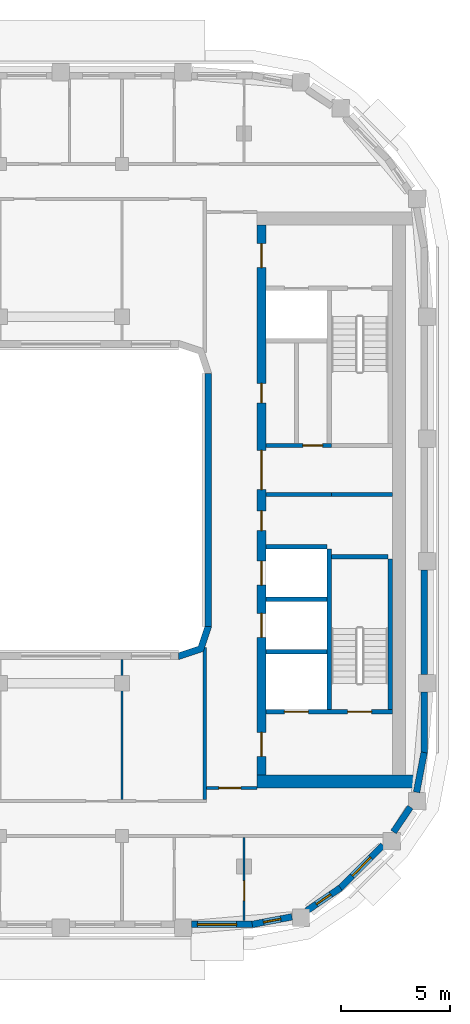
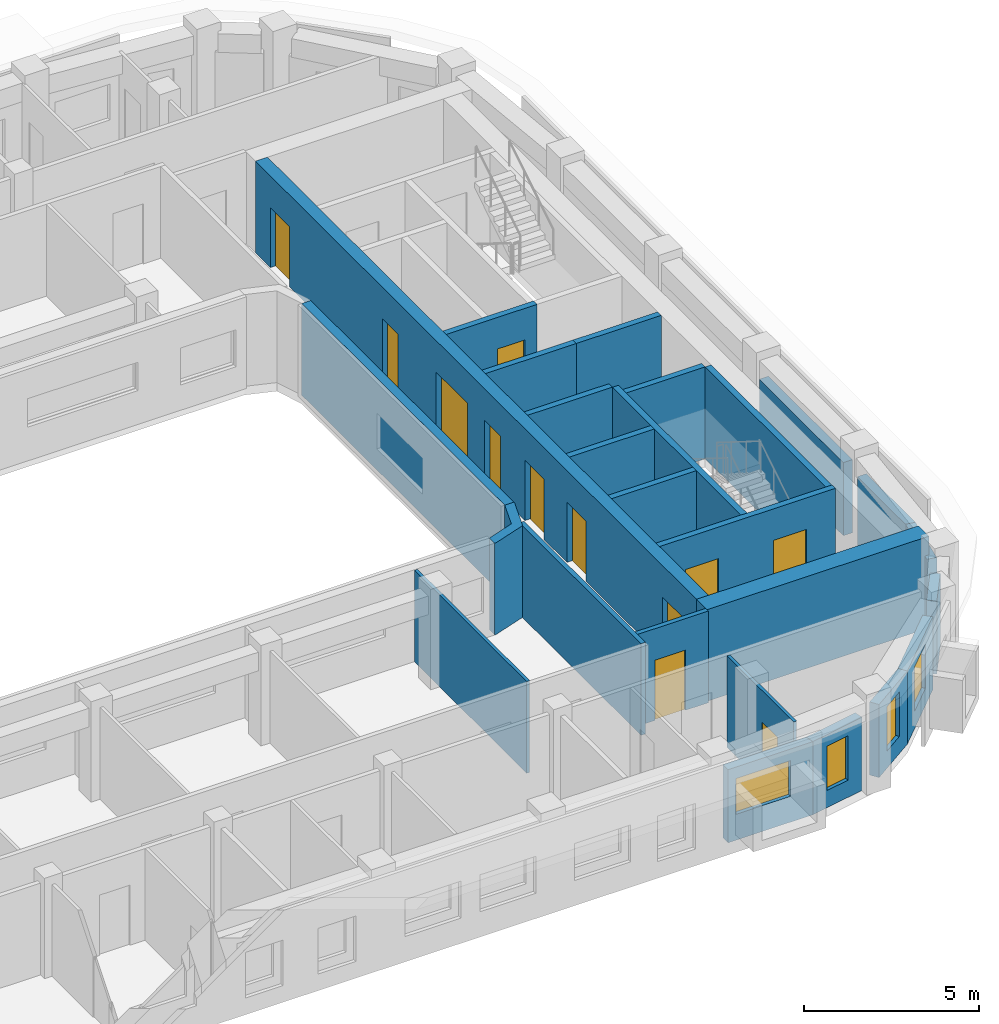
# One storey, part 5 of 15: 26 walls, 12 doors, 4 windows, 16 openings.
"""IFC4 building model written with IfcOpenShell, lengths in metres."""

from ifc_helpers import new_model, si_unit, direction, frame, frame_2d, origin, place, context, subcontext, project, spatial, polyline, rectangle, outline, extrude, material, layer, layer_set, type_object, element, fill, save


model = new_model("IFC4")

# Units and contexts
model_context = context("Model", 3, precision=1e-05, world=origin(), true_north=direction((0.0, 1.0)))
body_context = subcontext(model_context, "Body", "Model", "MODEL_VIEW")
ifc_project = project(units=[si_unit("LENGTHUNIT", "METRE"), si_unit("AREAUNIT", "SQUARE_METRE"), si_unit("VOLUMEUNIT", "CUBIC_METRE"), si_unit("PLANEANGLEUNIT", "RADIAN"), si_unit("MASSUNIT", "GRAM", prefix="KILO")], contexts=[model_context])

# Site, building, storey
site_placement = place(None, origin())
site = spatial("IfcSite", under=ifc_project, at=site_placement, CompositionType="ELEMENT")
building_placement = place(site_placement, origin())
building = spatial("IfcBuilding", under=site, at=building_placement, Name="Kiln Ring Residences", CompositionType="ELEMENT")
storey_placement = place(building_placement, frame((0.0, 0.0, 248.699951171875)))
storey = spatial("IfcBuildingStorey", under=building, at=storey_placement, Name="L64", CompositionType="ELEMENT", Elevation=248.699951171875)

# Walls
ifc_material_1 = material(Name="Gypsum board on steel studs", Category="steel")
ifc_layer_1 = layer(ifc_material_1, 0.199951171875)
ifc_layer_set_1 = layer_set([ifc_layer_1], Name="CORE-PARTITION-200")
wall_type_1 = type_object("IfcWallType", Name="CORE-PARTITION-200", PredefinedType="PARTITIONING", material=ifc_layer_set_1)
wall_1_placement = place(storey_placement, frame((20.800048828125, 0.25, 0.0), z_axis=(0.0, 0.0, 1.0), x_axis=(1.0, 0.0, 0.0)))
element("IfcWall", 1, at=wall_1_placement, inside=storey, type_object=wall_type_1, Name="Core partition east L64 1", PredefinedType="PARTITIONING", context=body_context, shape_type="SweptSolid", body=[
    extrude(rectangle(XDim=2.800048828125, YDim=0.199951171875, at=frame_2d((1.39990234375, 0.0))), origin(), (0.0, 0.0, 1.0), 3.199951171875),
])
ifc_material_2 = material(Name="Gypsum shaft wall system")
ifc_layer_2 = layer(ifc_material_2, 0.199951171875)
ifc_layer_set_2 = layer_set([ifc_layer_2], Name="CORE-SHAFT-WALL-200")
wall_type_2 = type_object("IfcWallType", Name="CORE-SHAFT-WALL-200", PredefinedType="PARTITIONING", material=ifc_layer_set_2)
for number, where, z_axis, x_axis, name in (
    (2, (17.800048828125, -6.949951171875, 0.0), (0.0, 0.0, 1.0), (1.0, 0.0, 0.0), "Core partition east L64 3"),
    (3, (17.800048828125, -4.550048828125, 0.0), (0.0, 0.0, 1.0), (1.0, 0.0, 0.0), "Core partition east L64 4"),
    (4, (17.800048828125, -2.14990234375, 0.0), (0.0, 0.0, 1.0), (1.0, 0.0, 0.0), "Core partition east L64 5"),
):
    element("IfcWall", number, at=place(storey_placement, frame(where, z_axis=z_axis, x_axis=x_axis)), inside=storey, type_object=wall_type_2, Name=name, PredefinedType="PARTITIONING", context=body_context, shape_type="SweptSolid", body=[
        extrude(rectangle(XDim=2.800048828125, YDim=0.199951171875, at=frame_2d((1.39990234375, 0.0))), origin(), (0.0, 0.0, 1.0), 3.199951171875),
    ])
wall_2_placement = place(storey_placement, frame((17.800048828125, 0.25, 0.0), z_axis=(0.0, 0.0, 1.0), x_axis=(1.0, 0.0, 0.0)))
element("IfcWall", 5, at=wall_2_placement, inside=storey, type_object=wall_type_2, Name="Core partition east L64 6", PredefinedType="PARTITIONING", context=body_context, shape_type="SweptSolid", body=[
    extrude(rectangle(XDim=3.0, YDim=0.199951171875, at=frame_2d((1.5, 0.0))), origin(), (0.0, 0.0, 1.0), 3.199951171875),
])

# Wall, opening, door
wall_3_placement = place(storey_placement, frame((17.800048828125, 2.5, 0.0), z_axis=(0.0, 0.0, 1.0), x_axis=(1.0, 0.0, 0.0)))
wall_3 = element("IfcWall", 6, at=wall_3_placement, inside=storey, type_object=wall_type_2, Name="Core partition east L64 7", PredefinedType="PARTITIONING", context=body_context, shape_type="SweptSolid", body=[
    extrude(rectangle(XDim=3.0, YDim=0.199951171875, at=frame_2d((1.5, 0.0))), origin(), (0.0, 0.0, 1.0), 3.199951171875),
])
opening_1_placement = place(wall_3_placement, frame((1.699951171875, 0.0, 0.0)))
opening_1 = element("IfcOpeningElement", 7, at=opening_1_placement, cuts=wall_3, Name="Opening L64-CE06", PredefinedType="OPENING", context=body_context, shape_type="SweptSolid", body=[
    extrude(rectangle(XDim=0.89990234375, YDim=2.10009765625, at=frame_2d((0.449951171875, 1.050048828125))), frame((0.0, 0.10986328125, 0.0), z_axis=(0.0, -1.0, 0.0), x_axis=(1.0, 0.0, 0.0)), (0.0, 0.0, 1.0), 0.219970703125),
])
ifc_material_3 = material(Name="Steel door leaf", Category="steel")
door_type_1 = type_object("IfcDoorType", Name="CORE-DOOR-ROOM", OperationType="SINGLE_SWING_LEFT", PredefinedType="DOOR", material=ifc_material_3)
door_1_placement = place(opening_1_placement, origin())
door_1 = element("IfcDoor", 8, at=door_1_placement, inside=storey, type_object=door_type_1, Name="Cleaner's store L64-CE06", OperationType="SINGLE_SWING_RIGHT", OverallHeight=2.10009765625, OverallWidth=0.89990234375, PredefinedType="DOOR", context=body_context, shape_type="SweptSolid", body=[
    extrude(rectangle(XDim=0.89990234375, YDim=2.10009765625, at=frame_2d((0.449951171875, 1.050048828125))), frame((0.0, 0.02490234375, 0.0), z_axis=(0.0, -1.0, 0.0), x_axis=(1.0, 0.0, 0.0)), (0.0, 0.0, 1.0), 0.050048828125),
])
fill(opening_1, door_1)

# Wall
ifc_material_4 = material(Name="Concrete C40/50", Category="concrete")
ifc_layer_3 = layer(ifc_material_4, 0.199951171875)
ifc_layer_set_3 = layer_set([ifc_layer_3], Name="CORE-WALL-RC200")
wall_type_3 = type_object("IfcWallType", Name="CORE-WALL-RC200", PredefinedType="SHEAR", material=ifc_layer_set_3)
wall_4_placement = place(storey_placement, frame((20.699951171875, -9.60009765625, 0.0), z_axis=(0.0, 0.0, 1.0), x_axis=(0.0, 1.0, 0.0)))
element("IfcWall", 9, at=wall_4_placement, inside=storey, type_object=wall_type_3, Name="Core wall east L64 2", PredefinedType="SHEAR", context=body_context, shape_type="SweptSolid", body=[
    extrude(rectangle(XDim=7.35009765625, YDim=0.199951171875, at=frame_2d((3.675048828125, 0.0))), origin(), (0.0, 0.0, 1.0), 3.199951171875),
])

# Wall, openings, doors
wall_5_placement = place(storey_placement, frame((17.800048828125, -9.699951171875, 0.0), z_axis=(0.0, 0.0, 1.0), x_axis=(1.0, 0.0, 0.0)))
wall_5 = element("IfcWall", 10, at=wall_5_placement, inside=storey, type_object=wall_type_3, Name="Core wall east L64 8", PredefinedType="SHEAR", context=body_context, shape_type="SweptSolid", body=[
    extrude(rectangle(XDim=5.800048828125, YDim=0.199951171875, at=frame_2d((2.89990234375, 0.0))), origin(), (0.0, 0.0, 1.0), 3.199951171875),
])
opening_2_placement = place(wall_5_placement, frame((0.85009765625, 0.0, 0.0)))
opening_2 = element("IfcOpeningElement", 11, at=opening_2_placement, cuts=wall_5, Name="Opening L64-CE01", PredefinedType="OPENING", context=body_context, shape_type="SweptSolid", body=[
    extrude(rectangle(XDim=1.10009765625, YDim=2.10009765625, at=frame_2d((0.550048828125, 1.050048828125))), frame((0.0, 0.10986328125, 0.0), z_axis=(0.0, -1.0, 0.0), x_axis=(1.0, 0.0, 0.0)), (0.0, 0.0, 1.0), 0.219970703125),
])
opening_3_placement = place(wall_5_placement, frame((3.75, 0.0, 0.0)))
opening_3 = element("IfcOpeningElement", 12, at=opening_3_placement, cuts=wall_5, Name="Opening L64-CE11", PredefinedType="OPENING", context=body_context, shape_type="SweptSolid", body=[
    extrude(rectangle(XDim=1.10009765625, YDim=2.10009765625, at=frame_2d((0.550048828125, 1.050048828125))), frame((0.0, 0.10986328125, 0.0), z_axis=(0.0, -1.0, 0.0), x_axis=(1.0, 0.0, 0.0)), (0.0, 0.0, 1.0), 0.219970703125),
])
ifc_material_5 = material(Name="Steel door leaf", Category="steel")
door_type_2 = type_object("IfcDoorType", Name="CORE-DOOR-LD", OperationType="DOUBLE_DOOR_SLIDING", PredefinedType="DOOR", material=ifc_material_5)
door_2_placement = place(opening_2_placement, origin())
door_2 = element("IfcDoor", 13, at=door_2_placement, inside=storey, type_object=door_type_2, Name="LD E-SV L64-CE01", OperationType="DOUBLE_DOOR_SLIDING", OverallHeight=2.10009765625, OverallWidth=1.10009765625, PredefinedType="DOOR", context=body_context, shape_type="SweptSolid", body=[
    extrude(rectangle(XDim=1.10009765625, YDim=2.10009765625, at=frame_2d((0.550048828125, 1.050048828125))), frame((0.0, 0.02490234375, 0.0), z_axis=(0.0, -1.0, 0.0), x_axis=(1.0, 0.0, 0.0)), (0.0, 0.0, 1.0), 0.050048828125),
])
fill(opening_2, door_2)
ifc_material_6 = material(Name="Steel door leaf", Category="steel")
door_type_3 = type_object("IfcDoorType", Name="CORE-DOOR-STAIR", OperationType="SINGLE_SWING_LEFT", PredefinedType="DOOR", material=ifc_material_6)
door_3_placement = place(opening_3_placement, origin())
door_3 = element("IfcDoor", 14, at=door_3_placement, inside=storey, type_object=door_type_3, Name="Stair E-STS L64-CE11", OperationType="SINGLE_SWING_LEFT", OverallHeight=2.10009765625, OverallWidth=1.10009765625, PredefinedType="DOOR", context=body_context, shape_type="SweptSolid", body=[
    extrude(rectangle(XDim=1.10009765625, YDim=2.10009765625, at=frame_2d((0.550048828125, 1.050048828125))), frame((0.0, 0.02490234375, 0.0), z_axis=(0.0, -1.0, 0.0), x_axis=(1.0, 0.0, 0.0)), (0.0, 0.0, 1.0), 0.050048828125),
])
fill(opening_3, door_3)

# Walls
wall_6_placement = place(storey_placement, frame((23.5, -9.60009765625, 0.0), z_axis=(0.0, 0.0, 1.0), x_axis=(0.0, 1.0, 0.0)))
element("IfcWall", 15, at=wall_6_placement, inside=storey, type_object=wall_type_3, Name="Core wall east L64 11", PredefinedType="SHEAR", context=body_context, shape_type="SweptSolid", body=[
    extrude(rectangle(XDim=6.900146484375, YDim=0.199951171875, at=frame_2d((3.4501953125, 0.0))), origin(), (0.0, 0.0, 1.0), 3.199951171875),
])
wall_7_placement = place(storey_placement, frame((20.800048828125, -2.60009765625, 0.0), z_axis=(0.0, 0.0, 1.0), x_axis=(1.0, 0.0, 0.0)))
element("IfcWall", 16, at=wall_7_placement, inside=storey, type_object=wall_type_3, Name="Core wall east L64 12", PredefinedType="SHEAR", context=body_context, shape_type="SweptSolid", body=[
    extrude(rectangle(XDim=2.599853515625, YDim=0.199951171875, at=frame_2d((1.2998046875, 0.0))), origin(), (0.0, 0.0, 1.0), 3.199951171875),
])

# Wall, openings, doors
ifc_material_7 = material(Name="Concrete C60/75", Category="concrete")
ifc_layer_4 = layer(ifc_material_7, 0.39990234375)
ifc_layer_set_4 = layer_set([ifc_layer_4], Name="CORE-WALL-RC400")
wall_type_4 = type_object("IfcWallType", Name="CORE-WALL-RC400", PredefinedType="SHEAR", material=ifc_layer_set_4)
wall_8_placement = place(storey_placement, frame((17.60009765625, -12.60009765625, 0.0), z_axis=(0.0, 0.0, 1.0), x_axis=(0.0, 1.0, 0.0)))
wall_8 = element("IfcWall", 17, at=wall_8_placement, inside=storey, type_object=wall_type_4, Name="Core wall east L64 6", PredefinedType="SHEAR", context=body_context, shape_type="SweptSolid", body=[
    extrude(rectangle(XDim=25.2001953125, YDim=0.39990234375, at=frame_2d((12.60009765625, 0.0))), origin(), (0.0, 0.0, 1.0), 3.199951171875),
])
opening_4_placement = place(wall_8_placement, frame((6.300048828125, 0.0, 0.0)))
opening_4 = element("IfcOpeningElement", 18, at=opening_4_placement, cuts=wall_8, Name="Opening L64-CE02", PredefinedType="OPENING", context=body_context, shape_type="SweptSolid", body=[
    extrude(rectangle(XDim=1.10009765625, YDim=2.10009765625, at=frame_2d((0.550048828125, 1.050048828125))), frame((0.0, 0.2099609375, 0.0), z_axis=(0.0, -1.0, 0.0), x_axis=(1.0, 0.0, 0.0)), (0.0, 0.0, 1.0), 0.419921875),
])
opening_5_placement = place(wall_8_placement, frame((8.699951171875, 0.0, 0.0)))
opening_5 = element("IfcOpeningElement", 19, at=opening_5_placement, cuts=wall_8, Name="Opening L64-CE03", PredefinedType="OPENING", context=body_context, shape_type="SweptSolid", body=[
    extrude(rectangle(XDim=1.10009765625, YDim=2.10009765625, at=frame_2d((0.550048828125, 1.050048828125))), frame((0.0, 0.2099609375, 0.0), z_axis=(0.0, -1.0, 0.0), x_axis=(1.0, 0.0, 0.0)), (0.0, 0.0, 1.0), 0.419921875),
])
opening_6_placement = place(wall_8_placement, frame((11.199951171875, 0.0, 0.0)))
opening_6 = element("IfcOpeningElement", 20, at=opening_6_placement, cuts=wall_8, Name="Opening L64-CE04", PredefinedType="OPENING", context=body_context, shape_type="SweptSolid", body=[
    extrude(rectangle(XDim=0.89990234375, YDim=2.10009765625, at=frame_2d((0.449951171875, 1.050048828125))), frame((0.0, 0.2099609375, 0.0), z_axis=(0.0, -1.0, 0.0), x_axis=(1.0, 0.0, 0.0)), (0.0, 0.0, 1.0), 0.419921875),
])
opening_7_placement = place(wall_8_placement, frame((17.050048828125, 0.0, 0.0)))
opening_7 = element("IfcOpeningElement", 21, at=opening_7_placement, cuts=wall_8, Name="Opening L64-CE05", PredefinedType="OPENING", context=body_context, shape_type="SweptSolid", body=[
    extrude(rectangle(XDim=0.89990234375, YDim=2.10009765625, at=frame_2d((0.449951171875, 1.050048828125))), frame((0.0, 0.2099609375, 0.0), z_axis=(0.0, -1.0, 0.0), x_axis=(1.0, 0.0, 0.0)), (0.0, 0.0, 1.0), 0.419921875),
])
opening_8_placement = place(wall_8_placement, frame((23.25, 0.0, 0.0)))
opening_8 = element("IfcOpeningElement", 22, at=opening_8_placement, cuts=wall_8, Name="Opening L64-CE08", PredefinedType="OPENING", context=body_context, shape_type="SweptSolid", body=[
    extrude(rectangle(XDim=1.10009765625, YDim=2.10009765625, at=frame_2d((0.550048828125, 1.050048828125))), frame((0.0, 0.2099609375, 0.0), z_axis=(0.0, -1.0, 0.0), x_axis=(1.0, 0.0, 0.0)), (0.0, 0.0, 1.0), 0.419921875),
])
opening_9_placement = place(wall_8_placement, frame((0.85009765625, 0.0, 0.0)))
opening_9 = element("IfcOpeningElement", 23, at=opening_9_placement, cuts=wall_8, Name="Opening L64-CE09", PredefinedType="OPENING", context=body_context, shape_type="SweptSolid", body=[
    extrude(rectangle(XDim=1.10009765625, YDim=2.10009765625, at=frame_2d((0.550048828125, 1.050048828125))), frame((0.0, 0.2099609375, 0.0), z_axis=(0.0, -1.0, 0.0), x_axis=(1.0, 0.0, 0.0)), (0.0, 0.0, 1.0), 0.419921875),
])
opening_10_placement = place(wall_8_placement, frame((13.074951171875, 0.0, 0.0)))
opening_10 = element("IfcOpeningElement", 24, at=opening_10_placement, cuts=wall_8, Name="Opening L64-CE12", PredefinedType="OPENING", context=body_context, shape_type="SweptSolid", body=[
    extrude(rectangle(XDim=1.800048828125, YDim=2.10009765625, at=frame_2d((0.89990234375, 1.050048828125))), frame((0.0, 0.2099609375, 0.0), z_axis=(0.0, -1.0, 0.0), x_axis=(1.0, 0.0, 0.0)), (0.0, 0.0, 1.0), 0.419921875),
])
door_4_placement = place(opening_4_placement, origin())
door_4 = element("IfcDoor", 25, at=door_4_placement, inside=storey, type_object=door_type_2, Name="LD E-H1 L64-CE02", OperationType="DOUBLE_DOOR_SLIDING", OverallHeight=2.10009765625, OverallWidth=1.10009765625, PredefinedType="DOOR", context=body_context, shape_type="SweptSolid", body=[
    extrude(rectangle(XDim=1.10009765625, YDim=2.10009765625, at=frame_2d((0.550048828125, 1.050048828125))), frame((0.0, 0.02490234375, 0.0), z_axis=(0.0, -1.0, 0.0), x_axis=(1.0, 0.0, 0.0)), (0.0, 0.0, 1.0), 0.050048828125),
])
fill(opening_4, door_4)
door_5_placement = place(opening_5_placement, origin())
door_5 = element("IfcDoor", 26, at=door_5_placement, inside=storey, type_object=door_type_2, Name="LD E-H2 L64-CE03", OperationType="DOUBLE_DOOR_SLIDING", OverallHeight=2.10009765625, OverallWidth=1.10009765625, PredefinedType="DOOR", context=body_context, shape_type="SweptSolid", body=[
    extrude(rectangle(XDim=1.10009765625, YDim=2.10009765625, at=frame_2d((0.550048828125, 1.050048828125))), frame((0.0, 0.02490234375, 0.0), z_axis=(0.0, -1.0, 0.0), x_axis=(1.0, 0.0, 0.0)), (0.0, 0.0, 1.0), 0.050048828125),
])
fill(opening_5, door_5)
ifc_material_8 = material(Name="Steel door leaf", Category="steel")
door_type_4 = type_object("IfcDoorType", Name="CORE-DOOR-LOBBY", OperationType="SINGLE_SWING_LEFT", PredefinedType="DOOR", material=ifc_material_8)
door_6_placement = place(opening_8_placement, origin())
door_6 = element("IfcDoor", 27, at=door_6_placement, inside=storey, type_object=door_type_4, Name="FFL L64-CE08", OperationType="SINGLE_SWING_RIGHT", OverallHeight=2.10009765625, OverallWidth=1.10009765625, PredefinedType="DOOR", context=body_context, shape_type="SweptSolid", body=[
    extrude(rectangle(XDim=1.10009765625, YDim=2.10009765625, at=frame_2d((0.550048828125, 1.050048828125))), frame((0.0, 0.02490234375, 0.0), z_axis=(0.0, -1.0, 0.0), x_axis=(1.0, 0.0, 0.0)), (0.0, 0.0, 1.0), 0.050048828125),
])
fill(opening_8, door_6)
door_7_placement = place(opening_9_placement, origin())
door_7 = element("IfcDoor", 28, at=door_7_placement, inside=storey, type_object=door_type_4, Name="SVL L64-CE09", OperationType="SINGLE_SWING_LEFT", OverallHeight=2.10009765625, OverallWidth=1.10009765625, PredefinedType="DOOR", context=body_context, shape_type="SweptSolid", body=[
    extrude(rectangle(XDim=1.10009765625, YDim=2.10009765625, at=frame_2d((0.550048828125, 1.050048828125))), frame((0.0, 0.02490234375, 0.0), z_axis=(0.0, -1.0, 0.0), x_axis=(1.0, 0.0, 0.0)), (0.0, 0.0, 1.0), 0.050048828125),
])
fill(opening_9, door_7)
ifc_material_9 = material(Name="Steel door leaf", Category="steel")
door_type_5 = type_object("IfcDoorType", Name="CORE-DOOR-PASS", OperationType="DOUBLE_DOOR_SINGLE_SWING", PredefinedType="DOOR", material=ifc_material_9)
door_8_placement = place(opening_10_placement, origin())
door_8 = element("IfcDoor", 29, at=door_8_placement, inside=storey, type_object=door_type_5, Name="Core passage L64-CE12", OperationType="DOUBLE_DOOR_SINGLE_SWING", OverallHeight=2.10009765625, OverallWidth=1.800048828125, PredefinedType="DOOR", context=body_context, shape_type="SweptSolid", body=[
    extrude(rectangle(XDim=1.800048828125, YDim=2.10009765625, at=frame_2d((0.89990234375, 1.050048828125))), frame((0.0, 0.02490234375, 0.0), z_axis=(0.0, -1.0, 0.0), x_axis=(1.0, 0.0, 0.0)), (0.0, 0.0, 1.0), 0.050048828125),
])
fill(opening_10, door_8)
door_9_placement = place(opening_6_placement, origin())
door_9 = element("IfcDoor", 30, at=door_9_placement, inside=storey, type_object=door_type_1, Name="Parcel room L64-CE04", OperationType="SINGLE_SWING_LEFT", OverallHeight=2.10009765625, OverallWidth=0.89990234375, PredefinedType="DOOR", context=body_context, shape_type="SweptSolid", body=[
    extrude(rectangle(XDim=0.89990234375, YDim=2.10009765625, at=frame_2d((0.449951171875, 1.050048828125))), frame((0.0, 0.02490234375, 0.0), z_axis=(0.0, -1.0, 0.0), x_axis=(1.0, 0.0, 0.0)), (0.0, 0.0, 1.0), 0.050048828125),
])
fill(opening_6, door_9)
door_10_placement = place(opening_7_placement, origin())
door_10 = element("IfcDoor", 31, at=door_10_placement, inside=storey, type_object=door_type_1, Name="Storage room L64-CE05", OperationType="SINGLE_SWING_RIGHT", OverallHeight=2.10009765625, OverallWidth=0.89990234375, PredefinedType="DOOR", context=body_context, shape_type="SweptSolid", body=[
    extrude(rectangle(XDim=0.89990234375, YDim=2.10009765625, at=frame_2d((0.449951171875, 1.050048828125))), frame((0.0, 0.02490234375, 0.0), z_axis=(0.0, -1.0, 0.0), x_axis=(1.0, 0.0, 0.0)), (0.0, 0.0, 1.0), 0.050048828125),
])
fill(opening_7, door_10)

# Wall
ifc_material_10 = material(Name="Concrete C60/75", Category="concrete")
ifc_layer_5 = layer(ifc_material_10, 0.60009765625)
ifc_layer_set_5 = layer_set([ifc_layer_5], Name="CORE-WALL-RC600")
wall_type_5 = type_object("IfcWallType", Name="CORE-WALL-RC600", PredefinedType="SHEAR", material=ifc_layer_set_5)
wall_9_placement = place(storey_placement, frame((17.39990234375, -12.89990234375, 0.0), z_axis=(0.0, 0.0, 1.0), x_axis=(1.0, 0.0, 0.0)))
element("IfcWall", 32, at=wall_9_placement, inside=storey, type_object=wall_type_5, Name="Core wall east L64 5", PredefinedType="SHEAR", context=body_context, shape_type="SweptSolid", body=[
    extrude(rectangle(XDim=7.320068359375, YDim=0.60009765625, at=frame_2d((3.66015625, 0.0))), origin(), (0.0, 0.0, 1.0), 3.199951171875),
])

# Wall, opening, window
ifc_material_11 = material(Name="Brick masonry, dark clay brick", Category="masonry")
ifc_layer_6 = layer(ifc_material_11, 0.300048828125)
ifc_layer_set_6 = layer_set([ifc_layer_6], Name="EW-300 BRICK WALL")
wall_type_6 = type_object("IfcWallType", Name="EW-300 BRICK WALL", PredefinedType="SOLIDWALL", material=ifc_layer_set_6)
wall_10_placement = place(storey_placement, frame((14.39990234375, -19.449951171875, 0.0), z_axis=(0.0, 0.0, 1.0), x_axis=(1.0, 0.0, 0.0)))
wall_10 = element("IfcWall", 33, at=wall_10_placement, inside=storey, type_object=wall_type_6, Name="Facade wall L64 10", PredefinedType="SOLIDWALL", context=body_context, shape_type="SweptSolid", body=[
    extrude(rectangle(XDim=2.800048828125, YDim=0.300048828125, at=frame_2d((1.39990234375, 0.0))), origin(), (0.0, 0.0, 1.0), 2.550048828125),
])
opening_11_placement = place(wall_10_placement, frame((0.262451171875, 0.0, 0.89990234375)))
opening_11 = element("IfcOpeningElement", 34, at=opening_11_placement, cuts=wall_10, Name="Opening W2", PredefinedType="OPENING", context=body_context, shape_type="SweptSolid", body=[
    extrude(rectangle(XDim=1.800048828125, YDim=1.25, at=frame_2d((0.89990234375, 0.625))), frame((0.0, 0.159912109375, 0.0), z_axis=(0.0, -1.0, 0.0), x_axis=(1.0, 0.0, 0.0)), (0.0, 0.0, 1.0), 0.320068359375),
])
ifc_material_12 = material(Name="Aluminium frame with double glazing", Category="aluminium")
window_type_1 = type_object("IfcWindowType", Name="WINDOW 1800 x 1250", PartitioningType="SINGLE_PANEL", PredefinedType="WINDOW", material=ifc_material_12)
window_1_placement = place(opening_11_placement, origin())
window_1 = element("IfcWindow", 35, at=window_1_placement, inside=storey, type_object=window_type_1, Name="Window L64 14", OverallHeight=1.25, OverallWidth=1.800048828125, PartitioningType="SINGLE_PANEL", PredefinedType="WINDOW", context=body_context, shape_type="SweptSolid", body=[
    extrude(rectangle(XDim=1.800048828125, YDim=1.25, at=frame_2d((0.89990234375, 0.625))), frame((0.0, 0.030029296875, 0.0), z_axis=(0.0, -1.0, 0.0), x_axis=(1.0, 0.0, 0.0)), (0.0, 0.0, 1.0), 0.06005859375),
])
fill(opening_11, window_1)

wall_11_placement = place(storey_placement, frame((17.171875, -19.45263671875, 0.0), z_axis=(0.0, 0.0, 1.0), x_axis=(0.982301706131, 0.187305520826, 0.0)))
wall_11 = element("IfcWall", 36, at=wall_11_placement, inside=storey, type_object=wall_type_6, Name="Facade wall L64 11", PredefinedType="SOLIDWALL", context=body_context, shape_type="SweptSolid", body=[
    extrude(rectangle(XDim=1.856201171875, YDim=0.300048828125, at=frame_2d((0.92822265625, 0.0))), origin(), (0.0, 0.0, 1.0), 2.550048828125),
])
opening_12_placement = place(wall_11_placement, frame((0.528076171875, 0.0, 0.60009765625)))
opening_12 = element("IfcOpeningElement", 37, at=opening_12_placement, cuts=wall_11, Name="Opening W5", PredefinedType="OPENING", context=body_context, shape_type="SweptSolid", body=[
    extrude(rectangle(XDim=0.800048828125, YDim=1.550048828125, at=frame_2d((0.39990234375, 0.77490234375))), frame((0.0, 0.159912109375, 0.0), z_axis=(0.0, -1.0, 0.0), x_axis=(1.0, 0.0, 0.0)), (0.0, 0.0, 1.0), 0.320068359375),
])
ifc_material_13 = material(Name="Aluminium frame with double glazing", Category="aluminium")
window_type_2 = type_object("IfcWindowType", Name="WINDOW 800 x 1550", PartitioningType="SINGLE_PANEL", PredefinedType="WINDOW", material=ifc_material_13)
window_2_placement = place(opening_12_placement, origin())
window_2 = element("IfcWindow", 38, at=window_2_placement, inside=storey, type_object=window_type_2, Name="Window L64 15", OverallHeight=1.550048828125, OverallWidth=0.800048828125, PartitioningType="SINGLE_PANEL", PredefinedType="WINDOW", context=body_context, shape_type="SweptSolid", body=[
    extrude(rectangle(XDim=0.800048828125, YDim=1.550048828125, at=frame_2d((0.39990234375, 0.77490234375))), frame((0.0, 0.030029296875, 0.0), z_axis=(0.0, -1.0, 0.0), x_axis=(1.0, 0.0, 0.0)), (0.0, 0.0, 1.0), 0.06005859375),
])
fill(opening_12, window_2)

wall_12_placement = place(storey_placement, frame((19.677734375, -18.822265625, 0.0), z_axis=(0.0, 0.0, 1.0), x_axis=(0.826997446962, 0.562205676526, 0.0)))
wall_12 = element("IfcWall", 39, at=wall_12_placement, inside=storey, type_object=wall_type_6, Name="Facade wall L64 12", PredefinedType="SOLIDWALL", context=body_context, shape_type="SweptSolid", body=[
    extrude(rectangle(XDim=1.85595703125, YDim=0.300048828125, at=frame_2d((0.927978515625, 0.0))), origin(), (0.0, 0.0, 1.0), 2.550048828125),
])
opening_13_placement = place(wall_12_placement, frame((0.528076171875, 0.0, 0.60009765625)))
opening_13 = element("IfcOpeningElement", 40, at=opening_13_placement, cuts=wall_12, Name="Opening W5", PredefinedType="OPENING", context=body_context, shape_type="SweptSolid", body=[
    extrude(rectangle(XDim=0.800048828125, YDim=1.550048828125, at=frame_2d((0.39990234375, 0.77490234375))), frame((0.0, 0.159912109375, 0.0), z_axis=(0.0, -1.0, 0.0), x_axis=(1.0, 0.0, 0.0)), (0.0, 0.0, 1.0), 0.320068359375),
])
window_3_placement = place(opening_13_placement, origin())
window_3 = element("IfcWindow", 41, at=window_3_placement, inside=storey, type_object=window_type_2, Name="Window L64 16", OverallHeight=1.550048828125, OverallWidth=0.800048828125, PartitioningType="SINGLE_PANEL", PredefinedType="WINDOW", context=body_context, shape_type="SweptSolid", body=[
    extrude(rectangle(XDim=0.800048828125, YDim=1.550048828125, at=frame_2d((0.39990234375, 0.77490234375))), frame((0.0, 0.030029296875, 0.0), z_axis=(0.0, -1.0, 0.0), x_axis=(1.0, 0.0, 0.0)), (0.0, 0.0, 1.0), 0.06005859375),
])
fill(opening_13, window_3)

wall_13_placement = place(storey_placement, frame((21.19091796875, -17.796875, 0.0), z_axis=(0.0, 0.0, 1.0), x_axis=(0.707106781187, 0.707106781187, 0.0)))
wall_13 = element("IfcWall", 42, at=wall_13_placement, inside=storey, type_object=wall_type_6, Name="Facade wall L64 13", PredefinedType="SOLIDWALL", context=body_context, shape_type="SweptSolid", body=[
    extrude(rectangle(XDim=2.800048828125, YDim=0.300048828125, at=frame_2d((1.39990234375, 0.0))), origin(), (0.0, 0.0, 1.0), 2.550048828125),
])
opening_14_placement = place(wall_13_placement, frame((0.800048828125, 0.0, 0.60009765625)))
opening_14 = element("IfcOpeningElement", 43, at=opening_14_placement, cuts=wall_13, Name="Opening W1", PredefinedType="OPENING", context=body_context, shape_type="SweptSolid", body=[
    extrude(rectangle(XDim=1.199951171875, YDim=1.550048828125, at=frame_2d((0.60009765625, 0.77490234375))), frame((0.0, 0.159912109375, 0.0), z_axis=(0.0, -1.0, 0.0), x_axis=(1.0, 0.0, 0.0)), (0.0, 0.0, 1.0), 0.320068359375),
])
ifc_material_14 = material(Name="Aluminium frame with double glazing", Category="aluminium")
window_type_3 = type_object("IfcWindowType", Name="WINDOW 1200 x 1550", PartitioningType="SINGLE_PANEL", PredefinedType="WINDOW", material=ifc_material_14)
window_4_placement = place(opening_14_placement, origin())
window_4 = element("IfcWindow", 44, at=window_4_placement, inside=storey, type_object=window_type_3, Name="Window L64 17", OverallHeight=1.550048828125, OverallWidth=1.199951171875, PartitioningType="SINGLE_PANEL", PredefinedType="WINDOW", context=body_context, shape_type="SweptSolid", body=[
    extrude(rectangle(XDim=1.199951171875, YDim=1.550048828125, at=frame_2d((0.60009765625, 0.77490234375))), frame((0.0, 0.030029296875, 0.0), z_axis=(0.0, -1.0, 0.0), x_axis=(1.0, 0.0, 0.0)), (0.0, 0.0, 1.0), 0.06005859375),
])
fill(opening_14, window_4)

# Walls
wall_14_placement = place(storey_placement, frame((23.648193359375, -15.216552734375, 0.0), z_axis=(0.0, 0.0, 1.0), x_axis=(0.562043265151, 0.827107833416, 0.0)))
element("IfcWall", 45, at=wall_14_placement, inside=storey, type_object=wall_type_6, Name="Facade wall L64 14", PredefinedType="SOLIDWALL", context=body_context, shape_type="SweptSolid", body=[
    extrude(rectangle(XDim=1.376953125, YDim=0.300048828125, at=frame_2d((0.6884765625, 0.0))), origin(), (0.0, 0.0, 1.0), 2.550048828125),
])
wall_15_placement = place(storey_placement, frame((24.704833984375, -13.395263671875, 0.0), z_axis=(0.0, 0.0, 1.0), x_axis=(0.187408222942, 0.982282117303, 0.0)))
element("IfcWall", 46, at=wall_15_placement, inside=storey, type_object=wall_type_6, Name="Facade wall L64 15", PredefinedType="SOLIDWALL", context=body_context, shape_type="SweptSolid", body=[
    extrude(rectangle(XDim=1.8564453125, YDim=0.300048828125, at=frame_2d((0.92822265625, 0.0))), origin(), (0.0, 0.0, 1.0), 2.550048828125),
])
wall_16_placement = place(storey_placement, frame((25.050048828125, -11.60009765625, 0.0), z_axis=(0.0, 0.0, 1.0), x_axis=(0.0, 1.0, 0.0)))
element("IfcWall", 47, at=wall_16_placement, inside=storey, type_object=wall_type_6, Name="Facade wall L64 16", PredefinedType="SOLIDWALL", context=body_context, shape_type="SweptSolid", body=[
    extrude(rectangle(XDim=2.800048828125, YDim=0.300048828125, at=frame_2d((1.39990234375, 0.0))), origin(), (0.0, 0.0, 1.0), 2.550048828125),
])
wall_17_placement = place(storey_placement, frame((25.050048828125, -8.0, 0.0), z_axis=(0.0, 0.0, 1.0), x_axis=(0.0, 1.0, 0.0)))
element("IfcWall", 48, at=wall_17_placement, inside=storey, type_object=wall_type_6, Name="Facade wall L64 17", PredefinedType="SOLIDWALL", context=body_context, shape_type="SweptSolid", body=[
    extrude(rectangle(XDim=4.800048828125, YDim=0.300048828125, at=frame_2d((2.39990234375, 0.0))), origin(), (0.0, 0.0, 1.0), 2.550048828125),
])
wall_18_placement = place(storey_placement, frame((15.14990234375, 5.800048828125, 0.0), z_axis=(0.0, 0.0, 1.0), x_axis=(0.0, -1.0, 0.0)))
element("IfcWall", 49, at=wall_18_placement, inside=storey, type_object=wall_type_6, Name="Facade wall L64 47", PredefinedType="SOLIDWALL", context=body_context, shape_type="SweptSolid", body=[
    extrude(rectangle(XDim=11.60009765625, YDim=0.300048828125, at=frame_2d((5.800048828125, 0.0))), origin(), (0.0, 0.0, 1.0), 3.199951171875),
])
wall_19_placement = place(storey_placement, origin())
element("IfcWall", 50, at=wall_19_placement, inside=storey, type_object=wall_type_6, Name="Corner wall L64 3", PredefinedType="SOLIDWALL", context=body_context, shape_type="SweptSolid", body=[
    extrude(outline(polyline([(14.937255859375, -6.937255859375), (15.300048828125, -5.8486328125), (15.300048828125, -5.800048828125), (15.0, -5.800048828125), (14.699951171875, -6.699951171875), (13.800048828125, -7.0), (13.800048828125, -7.300048828125), (13.8486328125, -7.300048828125), (14.937255859375, -6.937255859375)])), origin(), (0.0, 0.0, 1.0), 3.199951171875),
])
ifc_material_15 = material(Name="Gypsum board on steel studs", Category="steel")
ifc_layer_7 = layer(ifc_material_15, 0.10009765625)
ifc_layer_set_7 = layer_set([ifc_layer_7], Name="PARTITION-100")
wall_type_7 = type_object("IfcWallType", Name="PARTITION-100", PredefinedType="PARTITIONING", material=ifc_layer_set_7)
wall_20_placement = place(storey_placement, frame((11.199951171875, -13.72509765625, 0.0), z_axis=(0.0, 0.0, 1.0), x_axis=(0.0, 1.0, 0.0)))
element("IfcWall", 51, at=wall_20_placement, inside=storey, type_object=wall_type_7, Name="Partition 034", PredefinedType="PARTITIONING", context=body_context, shape_type="SweptSolid", body=[
    extrude(rectangle(XDim=6.405029296875, YDim=0.10009765625, at=frame_2d((3.20263671875, 0.0))), origin(), (0.0, 0.0, 1.0), 3.199951171875),
])

# Wall, opening, door
wall_21_placement = place(storey_placement, frame((16.800048828125, -19.280029296875, 0.0), z_axis=(0.0, 0.0, 1.0), x_axis=(0.0, 1.0, 0.0)))
wall_21 = element("IfcWall", 52, at=wall_21_placement, inside=storey, type_object=wall_type_7, Name="Partition 042", PredefinedType="PARTITIONING", context=body_context, shape_type="SweptSolid", body=[
    extrude(rectangle(XDim=3.804931640625, YDim=0.10009765625, at=frame_2d((1.90234375, 0.0))), origin(), (0.0, 0.0, 1.0), 3.199951171875),
])
opening_15_placement = place(wall_21_placement, frame((0.919921875, 0.0, 0.0)))
opening_15 = element("IfcOpeningElement", 53, at=opening_15_placement, cuts=wall_21, Name="Opening L64-D040", PredefinedType="OPENING", context=body_context, shape_type="SweptSolid", body=[
    extrude(rectangle(XDim=0.89990234375, YDim=2.10009765625, at=frame_2d((0.449951171875, 1.050048828125))), frame((0.0, 0.06005859375, 0.0), z_axis=(0.0, -1.0, 0.0), x_axis=(1.0, 0.0, 0.0)), (0.0, 0.0, 1.0), 0.1201171875),
])
ifc_material_16 = material(Name="Timber door leaf", Category="wood")
door_type_6 = type_object("IfcDoorType", Name="FLAT-DOOR-900-PL", OperationType="SINGLE_SWING_LEFT", PredefinedType="DOOR", material=ifc_material_16)
door_11_placement = place(opening_15_placement, origin())
door_11 = element("IfcDoor", 54, at=door_11_placement, inside=storey, type_object=door_type_6, Name="Door L64-D040", OperationType="SINGLE_SWING_LEFT", OverallHeight=2.10009765625, OverallWidth=0.89990234375, PredefinedType="DOOR", context=body_context, shape_type="SweptSolid", body=[
    extrude(rectangle(XDim=0.89990234375, YDim=2.10009765625, at=frame_2d((0.449951171875, 1.050048828125))), frame((0.0, 0.02490234375, 0.0), z_axis=(0.0, -1.0, 0.0), x_axis=(1.0, 0.0, 0.0)), (0.0, 0.0, 1.0), 0.050048828125),
])
fill(opening_15, door_11)

ifc_material_17 = material(Name="Brick masonry partition", Category="masonry")
ifc_layer_8 = layer(ifc_material_17, 0.14990234375)
ifc_layer_set_8 = layer_set([ifc_layer_8], Name="PARTITION-150-ei60")
wall_type_8 = type_object("IfcWallType", Name="PARTITION-150-ei60", PredefinedType="PARTITIONING", material=ifc_layer_set_8)
wall_22_placement = place(storey_placement, frame((15.074951171875, -13.199951171875, 0.0), z_axis=(0.0, 0.0, 1.0), x_axis=(1.0, 0.0, 0.0)))
wall_22 = element("IfcWall", 55, at=wall_22_placement, inside=storey, type_object=wall_type_8, Name="Partition 003", PredefinedType="PARTITIONING", context=body_context, shape_type="SweptSolid", body=[
    extrude(rectangle(XDim=2.324951171875, YDim=0.14990234375, at=frame_2d((1.16259765625, 0.0))), origin(), (0.0, 0.0, 1.0), 3.199951171875),
])
opening_16_placement = place(wall_22_placement, frame((0.574951171875, 0.0, 0.0)))
opening_16 = element("IfcOpeningElement", 56, at=opening_16_placement, cuts=wall_22, Name="Opening L64-D004", PredefinedType="OPENING", context=body_context, shape_type="SweptSolid", body=[
    extrude(rectangle(XDim=1.0, YDim=2.10009765625, at=frame_2d((0.5, 1.050048828125))), frame((0.0, 0.0849609375, 0.0), z_axis=(0.0, -1.0, 0.0), x_axis=(1.0, 0.0, 0.0)), (0.0, 0.0, 1.0), 0.169921875),
])
ifc_material_18 = material(Name="Steel faced fire door leaf", Category="steel")
door_type_7 = type_object("IfcDoorType", Name="FLAT-DOOR-1000-FR", OperationType="SINGLE_SWING_LEFT", PredefinedType="DOOR", material=ifc_material_18)
door_12_placement = place(opening_16_placement, origin())
door_12 = element("IfcDoor", 57, at=door_12_placement, inside=storey, type_object=door_type_7, Name="Door L64-D004", OperationType="SINGLE_SWING_LEFT", OverallHeight=2.10009765625, OverallWidth=1.0, PredefinedType="DOOR", context=body_context, shape_type="SweptSolid", body=[
    extrude(rectangle(XDim=1.0, YDim=2.10009765625, at=frame_2d((0.5, 1.050048828125))), frame((0.0, 0.02490234375, 0.0), z_axis=(0.0, -1.0, 0.0), x_axis=(1.0, 0.0, 0.0)), (0.0, 0.0, 1.0), 0.050048828125),
])
fill(opening_16, door_12)

# Wall
wall_23_placement = place(storey_placement, frame((15.0, -13.72509765625, 0.0), z_axis=(0.0, 0.0, 1.0), x_axis=(0.0, 1.0, 0.0)))
element("IfcWall", 58, at=wall_23_placement, inside=storey, type_object=wall_type_8, Name="Partition 040", PredefinedType="PARTITIONING", context=body_context, shape_type="SweptSolid", body=[
    extrude(rectangle(XDim=6.956298828125, YDim=0.14990234375, at=frame_2d((3.47802734375, 0.0))), origin(), (0.0, 0.0, 1.0), 3.199951171875),
])

save(model, "model.ifc")
